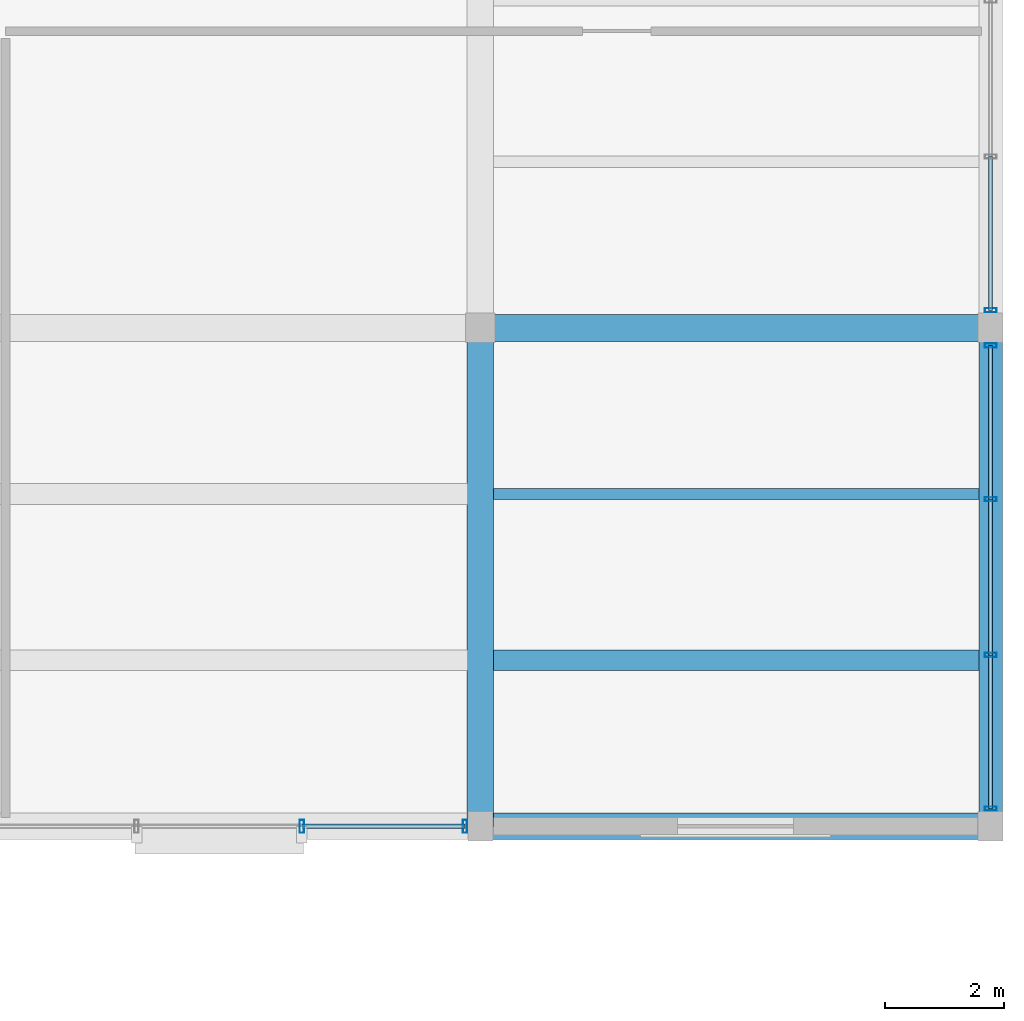
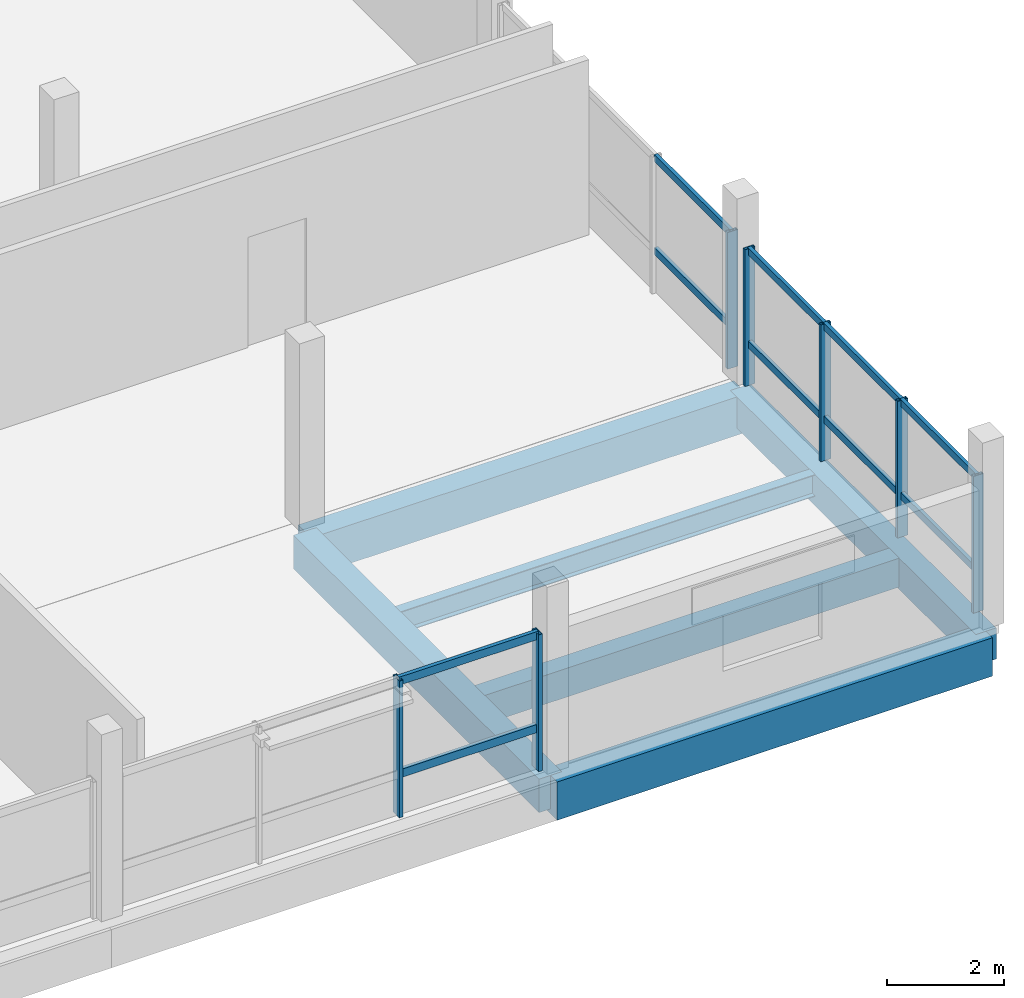
# One storey, part 29 of 62: 17 members, 6 beams, 3 elements without a shape of their own.
"""IFC4 building model written with IfcOpenShell, lengths in metres."""

from ifc_helpers import new_model, si_unit, direction, frame, origin, origin_2d, place, context, subcontext, project, spatial, rectangle, hollow_rectangle, i_section, extrude, material, layer, layer_set, material_profile, profile_set, type_object, element, aggregate, save


model = new_model("IFC4")

# Units and contexts
model_context = context("Model", 3, precision=1e-05, world=origin(), true_north=direction((0.0, 1.0)))
body_context = subcontext(model_context, "Body", "Model", "MODEL_VIEW")
ifc_project = project(units=[si_unit("LENGTHUNIT", "METRE"), si_unit("AREAUNIT", "SQUARE_METRE"), si_unit("VOLUMEUNIT", "CUBIC_METRE"), si_unit("PLANEANGLEUNIT", "RADIAN"), si_unit("MASSUNIT", "GRAM", prefix="KILO")], contexts=[model_context])

# Site, building, storey
site_placement = place(None, origin())
site = spatial("IfcSite", under=ifc_project, at=site_placement, CompositionType="ELEMENT")
building_placement = place(site_placement, origin())
building = spatial("IfcBuilding", under=site, at=building_placement, Name="Meriwether Solvik Hall", CompositionType="ELEMENT")
storey_placement = place(building_placement, frame((0.0, 0.0, 14.39990234375)))
storey = spatial("IfcBuildingStorey", under=building, at=storey_placement, Name="L03", CompositionType="ELEMENT", Elevation=14.39990234375)

# Beams
ifc_material_1 = material(Name="Concrete C40/50", Category="concrete")
ifc_material_profile_1 = material_profile(ifc_material_1, rectangle(XDim=0.35009765625, YDim=0.60009765625, at=origin_2d()), Name="RCB-350X600")
ifc_profile_set_1 = profile_set([ifc_material_profile_1], Name="Concrete C40/50")
beam_type_1 = type_object("IfcBeamType", Name="BM-RC-350X600", PredefinedType="JOIST", material=ifc_profile_set_1)
beam_1_placement = place(storey_placement, frame((158.419921875, 52.800048828125, -0.544921875), z_axis=(1.0, 0.0, 0.0), x_axis=(0.0, 1.0, 0.0)))
element("IfcBeam", 1, at=beam_1_placement, inside=storey, type_object=beam_type_1, Name="Secondary Floor Joist 18/F_J1 (L03)", PredefinedType="JOIST", context=body_context, shape_type="SweptSolid", body=[
    extrude(rectangle(XDim=0.35009765625, YDim=0.60009765625, at=origin_2d()), origin(), (0.0, 0.0, 1.0), 8.18505859375),
])
ifc_material_2 = material(Name="Concrete C40/50", Category="concrete")
ifc_material_profile_2 = material_profile(ifc_material_2, rectangle(XDim=0.39990234375, YDim=0.64990234375, at=origin_2d()), Name="RCB-400X650")
ifc_profile_set_2 = profile_set([ifc_material_profile_2], Name="Concrete C40/50")
beam_type_2 = type_object("IfcBeamType", Name="BM-RC-400X650", PredefinedType="SPANDREL", material=ifc_profile_set_2)
beam_2_placement = place(storey_placement, frame((166.800048828125, 50.0, -0.56982421875), z_axis=(0.0, 1.0, 0.0), x_axis=(-1.0, 0.0, 0.0)))
element("IfcBeam", 2, at=beam_2_placement, inside=storey, type_object=beam_type_2, Name="Podium Girder 19:F-G (L03)", PredefinedType="SPANDREL", context=body_context, shape_type="SweptSolid", body=[
    extrude(rectangle(XDim=0.39990234375, YDim=0.64990234375, at=origin_2d()), origin(), (0.0, 0.0, 1.0), 8.39990234375),
])
ifc_material_3 = material(Name="Concrete C40/50", Category="concrete")
ifc_material_profile_3 = material_profile(ifc_material_3, rectangle(XDim=0.449951171875, YDim=0.699951171875, at=origin_2d()), Name="RCB-450X700")
ifc_profile_set_3 = profile_set([ifc_material_profile_3], Name="Concrete C40/50")
beam_type_3 = type_object("IfcBeamType", Name="BM-RC-450X700", PredefinedType="BEAM", material=ifc_profile_set_3)
beam_3_placement = place(storey_placement, frame((158.199951171875, 50.0, -0.594970703125), z_axis=(0.0, 1.0, 0.0), x_axis=(-1.0, 0.0, 0.0)))
element("IfcBeam", 3, at=beam_3_placement, inside=storey, type_object=beam_type_3, Name="Podium Girder 18:F-G (L03)", PredefinedType="BEAM", context=body_context, shape_type="SweptSolid", body=[
    extrude(rectangle(XDim=0.449951171875, YDim=0.699951171875, at=origin_2d()), origin(), (0.0, 0.0, 1.0), 8.39990234375),
])
ifc_material_4 = material(Name="Concrete C40/50", Category="concrete")
ifc_material_profile_4 = material_profile(ifc_material_4, rectangle(XDim=0.449951171875, YDim=0.800048828125, at=origin_2d()), Name="RCB-450X800")
ifc_profile_set_4 = profile_set([ifc_material_profile_4], Name="Concrete C40/50")
beam_type_4 = type_object("IfcBeamType", Name="BM-RC-450X800", PredefinedType="BEAM", material=ifc_profile_set_4)
for number, where, z_axis, x_axis, name in (
    (4, (158.199951171875, 50.0, -0.64501953125), (1.0, 0.0, 0.0), (0.0, 1.0, 0.0), "Podium Girder F:18-19 (L03)"),
    (5, (158.199951171875, 58.39990234375, -0.64501953125), (1.0, 0.0, 0.0), (0.0, 1.0, 0.0), "Podium Girder G:18-19 (L03)"),
):
    element("IfcBeam", number, at=place(storey_placement, frame(where, z_axis=z_axis, x_axis=x_axis)), inside=storey, type_object=beam_type_4, Name=name, PredefinedType="BEAM", context=body_context, shape_type="SweptSolid", body=[
        extrude(rectangle(XDim=0.449951171875, YDim=0.800048828125, at=origin_2d()), origin(), (0.0, 0.0, 1.0), 8.60009765625),
    ])
ifc_material_5 = material(Name="Steel A992 Grade 50", Category="steel")
ifc_material_profile_5 = material_profile(ifc_material_5, i_section(OverallWidth=0.19091796875, OverallDepth=0.45703125, WebThickness=0.009033203125, FlangeThickness=0.014404296875, at=origin_2d()), Name="W18X50")
ifc_profile_set_5 = profile_set([ifc_material_profile_5], Name="Steel A992 Grade 50")
beam_type_5 = type_object("IfcBeamType", Name="BM-STL-W18X50", PredefinedType="JOIST", material=ifc_profile_set_5)
beam_4_placement = place(storey_placement, frame((158.419921875, 55.60009765625, -0.473388671875), z_axis=(1.0, 0.0, 0.0), x_axis=(0.0, 1.0, 0.0)))
element("IfcBeam", 6, at=beam_4_placement, inside=storey, type_object=beam_type_5, Name="Secondary Floor Joist 18/F_J2 (L03)", PredefinedType="JOIST", context=body_context, shape_type="SweptSolid", body=[
    extrude(i_section(OverallWidth=0.19091796875, OverallDepth=0.45703125, WebThickness=0.009033203125, FlangeThickness=0.014404296875, at=origin_2d()), origin(), (0.0, 0.0, 1.0), 8.18505859375),
])

# Curtain wall, members
ifc_material_6 = material(Name="Thermally Broken Anodised Aluminium 6063-T6 and Low-E Glass", Category="aluminium")
ifc_layer = layer(ifc_material_6, 0.179931640625)
ifc_layer_set = layer_set([ifc_layer], Name="Thermally Broken Anodised Aluminium 6063-T6 and Low-E Glass")
curtain_wall_type = type_object("IfcCurtainWallType", Name="CW-UNIT-E", PredefinedType="USERDEFINED", material=ifc_layer_set)
curtain_wall_1_placement = place(storey_placement, origin())
curtain_wall_1 = element("IfcCurtainWall", 7, at=curtain_wall_1_placement, inside=storey, type_object=curtain_wall_type, Name="Curtain Wall wing_Y19_6_39 (L03)", ObjectType="UNITISED CURTAIN WALL", PredefinedType="USERDEFINED")
ifc_material_7 = material(Name="Anodised Aluminium 6063-T6", Category="aluminium")
ifc_material_profile_6 = material_profile(ifc_material_7, hollow_rectangle(XDim=0.070068359375, YDim=0.199951171875, WallThickness=0.0048828125, at=origin_2d()), Name="CWM-70X200")
ifc_profile_set_6 = profile_set([ifc_material_profile_6], Name="Anodised Aluminium 6063-T6")
member_type_1 = type_object("IfcMemberType", Name="CW-MUL-70X200", PredefinedType="MULLION", material=ifc_profile_set_6)
member_1_placement = place(storey_placement, frame((166.800048828125, 58.1025390625, 0.0), z_axis=(0.0, 0.0, 1.0), x_axis=(0.0, -1.0, 0.0)))
member_1 = element("IfcMember", 8, at=member_1_placement, type_object=member_type_1, Name="Curtain Wall Mullion 1", PredefinedType="MULLION", context=body_context, shape_type="SweptSolid", body=[
    extrude(hollow_rectangle(XDim=0.070068359375, YDim=0.199951171875, WallThickness=0.0048828125, at=origin_2d()), origin(), (0.0, 0.0, 1.0), 2.85498046875),
])
member_2_placement = place(storey_placement, frame((166.800048828125, 55.513427734375, 0.0), z_axis=(0.0, 0.0, 1.0), x_axis=(0.0, -1.0, 0.0)))
member_2 = element("IfcMember", 9, at=member_2_placement, type_object=member_type_1, Name="Curtain Wall Mullion 2", PredefinedType="MULLION", context=body_context, shape_type="SweptSolid", body=[
    extrude(hollow_rectangle(XDim=0.070068359375, YDim=0.199951171875, WallThickness=0.0048828125, at=origin_2d()), origin(), (0.0, 0.0, 1.0), 2.85498046875),
])
member_3_placement = place(storey_placement, frame((166.800048828125, 52.886474609375, 0.0), z_axis=(0.0, 0.0, 1.0), x_axis=(0.0, -1.0, 0.0)))
member_3 = element("IfcMember", 10, at=member_3_placement, type_object=member_type_1, Name="Curtain Wall Mullion 3", PredefinedType="MULLION", context=body_context, shape_type="SweptSolid", body=[
    extrude(hollow_rectangle(XDim=0.070068359375, YDim=0.199951171875, WallThickness=0.0048828125, at=origin_2d()), origin(), (0.0, 0.0, 1.0), 2.85498046875),
])
member_4_placement = place(storey_placement, frame((166.800048828125, 50.297607421875, 0.0), z_axis=(0.0, 0.0, 1.0), x_axis=(0.0, -1.0, 0.0)))
member_4 = element("IfcMember", 11, at=member_4_placement, type_object=member_type_1, Name="Curtain Wall Mullion 4", PredefinedType="MULLION", context=body_context, shape_type="SweptSolid", body=[
    extrude(hollow_rectangle(XDim=0.070068359375, YDim=0.199951171875, WallThickness=0.0048828125, at=origin_2d()), origin(), (0.0, 0.0, 1.0), 2.85498046875),
])

# Curtain wall, member
curtain_wall_2_placement = place(storey_placement, origin())
curtain_wall_2 = element("IfcCurtainWall", 12, at=curtain_wall_2_placement, inside=storey, type_object=curtain_wall_type, Name="Curtain Wall wing_Y19_7_40 (L03)", ObjectType="UNITISED CURTAIN WALL", PredefinedType="USERDEFINED")
member_5_placement = place(storey_placement, frame((166.800048828125, 58.697509765625, 0.0), z_axis=(0.0, 0.0, 1.0), x_axis=(0.0, -1.0, 0.0)))
member_5 = element("IfcMember", 13, at=member_5_placement, type_object=member_type_1, Name="Curtain Wall Mullion 4", PredefinedType="MULLION", context=body_context, shape_type="SweptSolid", body=[
    extrude(hollow_rectangle(XDim=0.070068359375, YDim=0.199951171875, WallThickness=0.0048828125, at=origin_2d()), origin(), (0.0, 0.0, 1.0), 2.85498046875),
])

# Curtain wall, members
curtain_wall_3_placement = place(storey_placement, origin())
curtain_wall_3 = element("IfcCurtainWall", 14, at=curtain_wall_3_placement, inside=storey, type_object=curtain_wall_type, Name="Curtain Wall wing_XF_17_10 (L03)", ObjectType="UNITISED CURTAIN WALL", PredefinedType="USERDEFINED")
ifc_material_8 = material(Name="Anodised Aluminium 6063-T6", Category="aluminium")
ifc_material_profile_7 = material_profile(ifc_material_8, hollow_rectangle(XDim=0.074951171875, YDim=0.219970703125, WallThickness=0.005615234375, at=origin_2d()), Name="CWM-75X220")
ifc_profile_set_7 = profile_set([ifc_material_profile_7], Name="Anodised Aluminium 6063-T6")
member_type_2 = type_object("IfcMemberType", Name="CW-MUL-75X220", PredefinedType="MULLION", material=ifc_profile_set_7)
member_6_placement = place(storey_placement, frame((157.93994140625, 50.0, 0.0), z_axis=(0.0, 0.0, 1.0), x_axis=(-1.0, 0.0, 0.0)))
member_6 = element("IfcMember", 15, at=member_6_placement, type_object=member_type_2, Name="Curtain Wall Mullion 1", PredefinedType="MULLION", context=body_context, shape_type="SweptSolid", body=[
    extrude(hollow_rectangle(XDim=0.074951171875, YDim=0.219970703125, WallThickness=0.005615234375, at=origin_2d()), origin(), (0.0, 0.0, 1.0), 2.85498046875),
])
member_7_placement = place(storey_placement, frame((155.192626953125, 50.0, 0.0), z_axis=(0.0, 0.0, 1.0), x_axis=(-1.0, 0.0, 0.0)))
member_7 = element("IfcMember", 16, at=member_7_placement, type_object=member_type_2, Name="Curtain Wall Mullion 2", PredefinedType="MULLION", context=body_context, shape_type="SweptSolid", body=[
    extrude(hollow_rectangle(XDim=0.074951171875, YDim=0.219970703125, WallThickness=0.005615234375, at=origin_2d()), origin(), (0.0, 0.0, 1.0), 2.85498046875),
])

# Member
ifc_material_9 = material(Name="Anodised Aluminium 6063-T6", Category="aluminium")
ifc_material_profile_8 = material_profile(ifc_material_9, hollow_rectangle(XDim=0.070068359375, YDim=0.14990234375, WallThickness=0.0048828125, at=origin_2d()), Name="CWT-70X150")
ifc_profile_set_8 = profile_set([ifc_material_profile_8], Name="Anodised Aluminium 6063-T6")
member_type_3 = type_object("IfcMemberType", Name="CW-TRN-70X150", PredefinedType="USERDEFINED", material=ifc_profile_set_8)
member_8_placement = place(storey_placement, frame((166.800048828125, 58.1025390625, 0.856689453125), z_axis=(0.0, -1.0, 0.0), x_axis=(1.0, 0.0, 0.0)))
member_8 = element("IfcMember", 17, at=member_8_placement, type_object=member_type_3, Name="Curtain Wall Transom 1-sill", ObjectType="TRANSOM", PredefinedType="USERDEFINED", context=body_context, shape_type="SweptSolid", body=[
    extrude(hollow_rectangle(XDim=0.070068359375, YDim=0.14990234375, WallThickness=0.0048828125, at=origin_2d()), origin(), (0.0, 0.0, 1.0), 2.589111328125),
])

member_9_placement = place(storey_placement, frame((166.800048828125, 58.1025390625, 2.795166015625), z_axis=(0.0, -1.0, 0.0), x_axis=(1.0, 0.0, 0.0)))
member_9 = element("IfcMember", 18, at=member_9_placement, type_object=member_type_3, Name="Curtain Wall Transom 1-head", ObjectType="TRANSOM", PredefinedType="USERDEFINED", context=body_context, shape_type="SweptSolid", body=[
    extrude(hollow_rectangle(XDim=0.070068359375, YDim=0.14990234375, WallThickness=0.0048828125, at=origin_2d()), origin(), (0.0, 0.0, 1.0), 2.589111328125),
])

member_10_placement = place(storey_placement, frame((166.800048828125, 55.513427734375, 0.856689453125), z_axis=(0.0, -1.0, 0.0), x_axis=(1.0, 0.0, 0.0)))
member_10 = element("IfcMember", 19, at=member_10_placement, type_object=member_type_3, Name="Curtain Wall Transom 2-sill", ObjectType="TRANSOM", PredefinedType="USERDEFINED", context=body_context, shape_type="SweptSolid", body=[
    extrude(hollow_rectangle(XDim=0.070068359375, YDim=0.14990234375, WallThickness=0.0048828125, at=origin_2d()), origin(), (0.0, 0.0, 1.0), 2.626953125),
])

member_11_placement = place(storey_placement, frame((166.800048828125, 55.513427734375, 2.795166015625), z_axis=(0.0, -1.0, 0.0), x_axis=(1.0, 0.0, 0.0)))
member_11 = element("IfcMember", 20, at=member_11_placement, type_object=member_type_3, Name="Curtain Wall Transom 2-head", ObjectType="TRANSOM", PredefinedType="USERDEFINED", context=body_context, shape_type="SweptSolid", body=[
    extrude(hollow_rectangle(XDim=0.070068359375, YDim=0.14990234375, WallThickness=0.0048828125, at=origin_2d()), origin(), (0.0, 0.0, 1.0), 2.626953125),
])

member_12_placement = place(storey_placement, frame((166.800048828125, 52.886474609375, 0.856689453125), z_axis=(0.0, -1.0, 0.0), x_axis=(1.0, 0.0, 0.0)))
member_12 = element("IfcMember", 21, at=member_12_placement, type_object=member_type_3, Name="Curtain Wall Transom 3-sill", ObjectType="TRANSOM", PredefinedType="USERDEFINED", context=body_context, shape_type="SweptSolid", body=[
    extrude(hollow_rectangle(XDim=0.070068359375, YDim=0.14990234375, WallThickness=0.0048828125, at=origin_2d()), origin(), (0.0, 0.0, 1.0), 2.5888671875),
])

member_13_placement = place(storey_placement, frame((166.800048828125, 52.886474609375, 2.795166015625), z_axis=(0.0, -1.0, 0.0), x_axis=(1.0, 0.0, 0.0)))
member_13 = element("IfcMember", 22, at=member_13_placement, type_object=member_type_3, Name="Curtain Wall Transom 3-head", ObjectType="TRANSOM", PredefinedType="USERDEFINED", context=body_context, shape_type="SweptSolid", body=[
    extrude(hollow_rectangle(XDim=0.070068359375, YDim=0.14990234375, WallThickness=0.0048828125, at=origin_2d()), origin(), (0.0, 0.0, 1.0), 2.5888671875),
])

aggregate(curtain_wall_1, [member_1, member_2, member_3, member_4, member_8, member_9, member_10, member_11, member_12, member_13])

member_14_placement = place(storey_placement, frame((166.800048828125, 61.28662109375, 0.856689453125), z_axis=(0.0, -1.0, 0.0), x_axis=(1.0, 0.0, 0.0)))
member_14 = element("IfcMember", 23, at=member_14_placement, type_object=member_type_3, Name="Curtain Wall Transom 3-sill", ObjectType="TRANSOM", PredefinedType="USERDEFINED", context=body_context, shape_type="SweptSolid", body=[
    extrude(hollow_rectangle(XDim=0.070068359375, YDim=0.14990234375, WallThickness=0.0048828125, at=origin_2d()), origin(), (0.0, 0.0, 1.0), 2.589111328125),
])

member_15_placement = place(storey_placement, frame((166.800048828125, 61.28662109375, 2.795166015625), z_axis=(0.0, -1.0, 0.0), x_axis=(1.0, 0.0, 0.0)))
member_15 = element("IfcMember", 24, at=member_15_placement, type_object=member_type_3, Name="Curtain Wall Transom 3-head", ObjectType="TRANSOM", PredefinedType="USERDEFINED", context=body_context, shape_type="SweptSolid", body=[
    extrude(hollow_rectangle(XDim=0.070068359375, YDim=0.14990234375, WallThickness=0.0048828125, at=origin_2d()), origin(), (0.0, 0.0, 1.0), 2.589111328125),
])

aggregate(curtain_wall_2, [member_5, member_14, member_15])

ifc_material_10 = material(Name="Anodised Aluminium 6063-T6", Category="aluminium")
ifc_material_profile_9 = material_profile(ifc_material_10, hollow_rectangle(XDim=0.074951171875, YDim=0.169921875, WallThickness=0.005615234375, at=origin_2d()), Name="CWT-75X170")
ifc_profile_set_9 = profile_set([ifc_material_profile_9], Name="Anodised Aluminium 6063-T6")
member_type_4 = type_object("IfcMemberType", Name="CW-TRN-75X170", PredefinedType="USERDEFINED", material=ifc_profile_set_9)
member_16_placement = place(storey_placement, frame((157.93994140625, 50.0, 0.856689453125), z_axis=(-1.0, 0.0, 0.0), x_axis=(0.0, -1.0, 0.0)))
member_16 = element("IfcMember", 25, at=member_16_placement, type_object=member_type_4, Name="Curtain Wall Transom 1-sill", ObjectType="TRANSOM", PredefinedType="USERDEFINED", context=body_context, shape_type="SweptSolid", body=[
    extrude(hollow_rectangle(XDim=0.074951171875, YDim=0.169921875, WallThickness=0.005615234375, at=origin_2d()), origin(), (0.0, 0.0, 1.0), 2.747314453125),
])

member_17_placement = place(storey_placement, frame((157.93994140625, 50.0, 2.795166015625), z_axis=(-1.0, 0.0, 0.0), x_axis=(0.0, -1.0, 0.0)))
member_17 = element("IfcMember", 26, at=member_17_placement, type_object=member_type_4, Name="Curtain Wall Transom 1-head", ObjectType="TRANSOM", PredefinedType="USERDEFINED", context=body_context, shape_type="SweptSolid", body=[
    extrude(hollow_rectangle(XDim=0.074951171875, YDim=0.169921875, WallThickness=0.005615234375, at=origin_2d()), origin(), (0.0, 0.0, 1.0), 2.747314453125),
])

aggregate(curtain_wall_3, [member_6, member_7, member_16, member_17])

save(model, "model.ifc")
